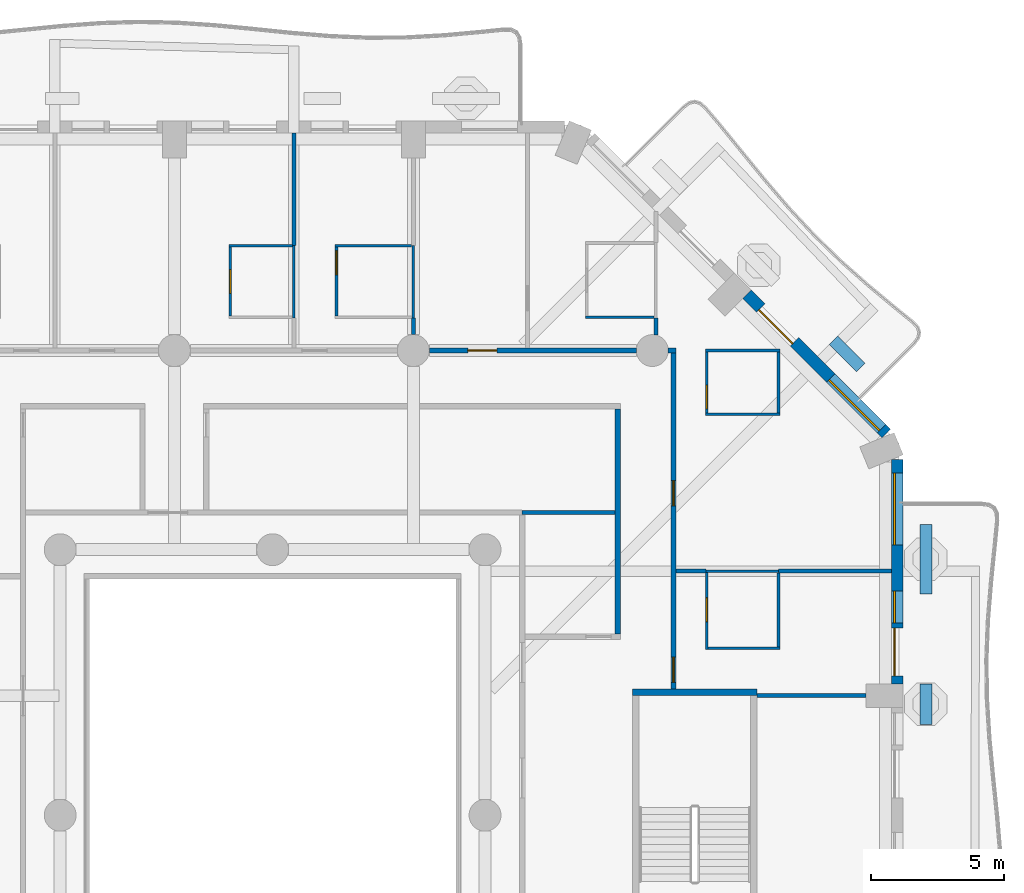
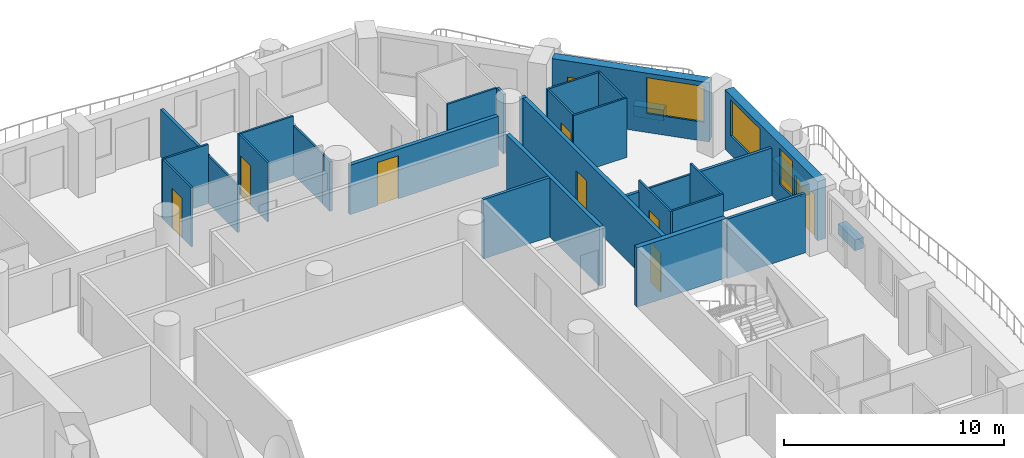
# One storey, part 9 of 20: 32 walls, 9 doors, 3 windows, 12 openings.
"""IFC4 building model written with IfcOpenShell, lengths in metres."""

from ifc_helpers import new_model, si_unit, direction, frame, frame_2d, origin, place, context, subcontext, project, spatial, rectangle, extrude, material, layer, layer_set, type_object, element, fill, save


model = new_model("IFC4")

# Units and contexts
model_context = context("Model", 3, precision=1e-05, world=origin(), true_north=direction((0.0, 1.0)))
body_context = subcontext(model_context, "Body", "Model", "MODEL_VIEW")
ifc_project = project(units=[si_unit("LENGTHUNIT", "METRE"), si_unit("AREAUNIT", "SQUARE_METRE"), si_unit("VOLUMEUNIT", "CUBIC_METRE"), si_unit("PLANEANGLEUNIT", "RADIAN"), si_unit("MASSUNIT", "GRAM", prefix="KILO")], contexts=[model_context])

# Site, building, storey
site_placement = place(None, origin())
site = spatial("IfcSite", under=ifc_project, at=site_placement, CompositionType="ELEMENT")
building_placement = place(site_placement, origin())
building = spatial("IfcBuilding", under=site, at=building_placement, Name="Cypress Arch Tower", CompositionType="ELEMENT")
storey_placement = place(building_placement, frame((0.0, 0.0, 59.10009765625)))
storey = spatial("IfcBuildingStorey", under=building, at=storey_placement, Name="L08", CompositionType="ELEMENT", Elevation=59.10009765625)

# Walls
ifc_material_1 = material(Name="Concrete C40/50, waterproofed", Category="concrete")
ifc_layer_1 = layer(ifc_material_1, 0.449951171875)
ifc_layer_set_1 = layer_set([ifc_layer_1], Name="Balcony planter wall PW450")
wall_type_1 = type_object("IfcWallType", Name="Balcony planter wall PW450", PredefinedType="SOLIDWALL", material=ifc_layer_set_1)
wall_1_placement = place(storey_placement, frame((25.60009765625, 3.42138671875, 0.0), z_axis=(0.0, 0.0, 1.0), x_axis=(0.0, 1.0, 0.0)))
element("IfcWall", 1, at=wall_1_placement, inside=storey, type_object=wall_type_1, Name="Balcony planter wall L08-A06.2", PredefinedType="SOLIDWALL", context=body_context, shape_type="SweptSolid", body=[
    extrude(rectangle(XDim=1.5224609375, YDim=0.449951171875, at=frame_2d((0.76123046875, 0.0))), origin(), (0.0, 0.0, 1.0), 0.599853515625),
])
wall_2_placement = place(storey_placement, frame((25.60009765625, 8.335693359375, 0.0), z_axis=(0.0, 0.0, 1.0), x_axis=(0.0, 1.0, 0.0)))
element("IfcWall", 2, at=wall_2_placement, inside=storey, type_object=wall_type_1, Name="Balcony planter wall L08-A06.3", PredefinedType="SOLIDWALL", context=body_context, shape_type="SweptSolid", body=[
    extrude(rectangle(XDim=2.6142578125, YDim=0.449951171875, at=frame_2d((1.30712890625, 0.0))), origin(), (0.0, 0.0, 1.0), 0.599853515625),
])
wall_3_placement = place(storey_placement, frame((23.150390625, 16.86376953125, 0.0), z_axis=(0.0, 0.0, 1.0), x_axis=(-0.707106781187, 0.707106781187, 0.0)))
element("IfcWall", 3, at=wall_3_placement, inside=storey, type_object=wall_type_1, Name="Balcony planter wall L08-A07.1", PredefinedType="SOLIDWALL", context=body_context, shape_type="SweptSolid", body=[
    extrude(rectangle(XDim=1.44482421875, YDim=0.449951171875, at=frame_2d((0.722412109375, 0.0))), origin(), (0.0, 0.0, 1.0), 0.599853515625),
])

# Wall, openings, door, windows
ifc_material_2 = material(Name="Brick (red buff blend)", Category="masonry")
ifc_layer_2 = layer(ifc_material_2, 0.449951171875)
ifc_layer_set_2 = layer_set([ifc_layer_2], Name="Brick pier and spandrel wall BW450")
wall_type_2 = type_object("IfcWallType", Name="Brick pier and spandrel wall BW450", PredefinedType="SOLIDWALL", material=ifc_layer_set_2)
wall_4_placement = place(storey_placement, frame((24.52490234375, 4.949951171875, 0.0), z_axis=(0.0, 0.0, 1.0), x_axis=(0.0, 1.0, 0.0)))
wall_4 = element("IfcWall", 4, at=wall_4_placement, inside=storey, type_object=wall_type_2, Name="Brick wall L08 A06.3", PredefinedType="SOLIDWALL", context=body_context, shape_type="SweptSolid", body=[
    extrude(rectangle(XDim=8.438720703125, YDim=0.449951171875, at=frame_2d((4.21923828125, 0.0))), origin(), (0.0, 0.0, 1.0), 3.2998046875),
])
opening_1_placement = place(wall_4_placement, frame((0.2939453125, 0.0, 0.0)))
opening_1 = element("IfcOpeningElement", 5, at=opening_1_placement, cuts=wall_4, Name="Opening D-L08-A06.3.1", PredefinedType="OPENING", context=body_context, shape_type="SweptSolid", body=[
    extrude(rectangle(XDim=1.800048828125, YDim=2.39990234375, at=frame_2d((0.89990234375, 1.199951171875))), frame((0.0, 0.23486328125, 0.0), z_axis=(0.0, -1.0, 0.0), x_axis=(1.0, 0.0, 0.0)), (0.0, 0.0, 1.0), 0.469970703125),
])
opening_2_placement = place(wall_4_placement, frame((2.2939453125, 0.0, 1.050048828125)))
opening_2 = element("IfcOpeningElement", 6, at=opening_2_placement, cuts=wall_4, Name="Opening W120HD", PredefinedType="OPENING", context=body_context, shape_type="SweptSolid", body=[
    extrude(rectangle(XDim=1.199951171875, YDim=2.0, at=frame_2d((0.60009765625, 1.0))), frame((0.0, 0.23486328125, 0.0), z_axis=(0.0, -1.0, 0.0), x_axis=(1.0, 0.0, 0.0)), (0.0, 0.0, 1.0), 0.469970703125),
])
opening_3_placement = place(wall_4_placement, frame((5.231689453125, 0.0, 1.050048828125)))
opening_3 = element("IfcOpeningElement", 7, at=opening_3_placement, cuts=wall_4, Name="Opening W270HD", PredefinedType="OPENING", context=body_context, shape_type="SweptSolid", body=[
    extrude(rectangle(XDim=2.699951171875, YDim=2.0, at=frame_2d((1.35009765625, 1.0))), frame((0.0, 0.23486328125, 0.0), z_axis=(0.0, -1.0, 0.0), x_axis=(1.0, 0.0, 0.0)), (0.0, 0.0, 1.0), 0.469970703125),
])
ifc_material_3 = material(Name="Anodised aluminium, bronze finish, laminated low-emissivity double glazing, large-missile impact rated", Category="aluminium")
door_type_1 = type_object("IfcDoorType", Name="Balcony sliding door 1800x2400", OperationType="SLIDING_TO_LEFT", PredefinedType="DOOR", material=ifc_material_3)
door_1_placement = place(opening_1_placement, origin())
door_1 = element("IfcDoor", 8, at=door_1_placement, inside=storey, type_object=door_type_1, Name="Balcony door L08 A06.3.1", OperationType="SLIDING_TO_LEFT", OverallHeight=2.39990234375, OverallWidth=1.800048828125, PredefinedType="DOOR", context=body_context, shape_type="SweptSolid", body=[
    extrude(rectangle(XDim=1.800048828125, YDim=2.39990234375, at=frame_2d((0.89990234375, 1.199951171875))), frame((0.0, 0.1298828125, 0.0), z_axis=(0.0, -1.0, 0.0), x_axis=(1.0, 0.0, 0.0)), (0.0, 0.0, 1.0), 0.050048828125),
])
fill(opening_1, door_1)
ifc_material_4 = material(Name="Anodised aluminium, bronze finish, laminated low-emissivity double glazing, large-missile impact rated", Category="aluminium")
window_type_1 = type_object("IfcWindowType", Name="Window Hotel 1200x2000 debris-rated", PartitioningType="SINGLE_PANEL", PredefinedType="WINDOW", material=ifc_material_4)
window_1_placement = place(opening_2_placement, origin())
window_1 = element("IfcWindow", 9, at=window_1_placement, inside=storey, type_object=window_type_1, Name="Window L08 A06.3.1", OverallHeight=2.0, OverallWidth=1.199951171875, PartitioningType="SINGLE_PANEL", PredefinedType="WINDOW", context=body_context, shape_type="SweptSolid", body=[
    extrude(rectangle(XDim=1.199951171875, YDim=2.0, at=frame_2d((0.60009765625, 1.0))), frame((0.0, 0.135009765625, 0.0), z_axis=(0.0, -1.0, 0.0), x_axis=(1.0, 0.0, 0.0)), (0.0, 0.0, 1.0), 0.06005859375),
])
fill(opening_2, window_1)
ifc_material_5 = material(Name="Anodised aluminium, bronze finish, laminated low-emissivity double glazing, large-missile impact rated", Category="aluminium")
window_type_2 = type_object("IfcWindowType", Name="Window Hotel 2700x2000 debris-rated", PartitioningType="SINGLE_PANEL", PredefinedType="WINDOW", material=ifc_material_5)
window_2_placement = place(opening_3_placement, origin())
window_2 = element("IfcWindow", 10, at=window_2_placement, inside=storey, type_object=window_type_2, Name="Window L08 A06.3.2", OverallHeight=2.0, OverallWidth=2.699951171875, PartitioningType="SINGLE_PANEL", PredefinedType="WINDOW", context=body_context, shape_type="SweptSolid", body=[
    extrude(rectangle(XDim=2.699951171875, YDim=2.0, at=frame_2d((1.35009765625, 1.0))), frame((0.0, 0.135009765625, 0.0), z_axis=(0.0, -1.0, 0.0), x_axis=(1.0, 0.0, 0.0)), (0.0, 0.0, 1.0), 0.06005859375),
])
fill(opening_3, window_2)

# Wall, openings, door, window
wall_5_placement = place(storey_placement, frame((24.11474609375, 14.379150390625, 0.0), z_axis=(0.0, 0.0, 1.0), x_axis=(-0.707106781187, 0.707106781187, 0.0)))
wall_5 = element("IfcWall", 11, at=wall_5_placement, inside=storey, type_object=wall_type_2, Name="Brick wall L08 A07.0", PredefinedType="SOLIDWALL", context=body_context, shape_type="SweptSolid", body=[
    extrude(rectangle(XDim=7.423828125, YDim=0.449951171875, at=frame_2d((3.7119140625, 0.0))), origin(), (0.0, 0.0, 1.0), 3.2998046875),
])
opening_4_placement = place(wall_5_placement, frame((0.253173828125, 0.0, 1.050048828125)))
opening_4 = element("IfcOpeningElement", 12, at=opening_4_placement, cuts=wall_5, Name="Opening W270HD", PredefinedType="OPENING", context=body_context, shape_type="SweptSolid", body=[
    extrude(rectangle(XDim=2.699951171875, YDim=2.0, at=frame_2d((1.35009765625, 1.0))), frame((0.0, 0.23486328125, 0.0), z_axis=(0.0, -1.0, 0.0), x_axis=(1.0, 0.0, 0.0)), (0.0, 0.0, 1.0), 0.469970703125),
])
opening_5_placement = place(wall_5_placement, frame((4.8837890625, 0.0, 0.0)))
opening_5 = element("IfcOpeningElement", 13, at=opening_5_placement, cuts=wall_5, Name="Opening D-L08-A07.0.2", PredefinedType="OPENING", context=body_context, shape_type="SweptSolid", body=[
    extrude(rectangle(XDim=1.800048828125, YDim=2.39990234375, at=frame_2d((0.89990234375, 1.199951171875))), frame((0.0, 0.23486328125, 0.0), z_axis=(0.0, -1.0, 0.0), x_axis=(1.0, 0.0, 0.0)), (0.0, 0.0, 1.0), 0.469970703125),
])
door_2_placement = place(opening_5_placement, origin())
door_2 = element("IfcDoor", 14, at=door_2_placement, inside=storey, type_object=door_type_1, Name="Balcony door L08 A07.0.2", OperationType="SLIDING_TO_LEFT", OverallHeight=2.39990234375, OverallWidth=1.800048828125, PredefinedType="DOOR", context=body_context, shape_type="SweptSolid", body=[
    extrude(rectangle(XDim=1.800048828125, YDim=2.39990234375, at=frame_2d((0.89990234375, 1.199951171875))), frame((0.0, 0.1298828125, 0.0), z_axis=(0.0, -1.0, 0.0), x_axis=(1.0, 0.0, 0.0)), (0.0, 0.0, 1.0), 0.050048828125),
])
fill(opening_5, door_2)
window_3_placement = place(opening_4_placement, origin())
window_3 = element("IfcWindow", 15, at=window_3_placement, inside=storey, type_object=window_type_2, Name="Window L08 A07.0.1", OverallHeight=2.0, OverallWidth=2.699951171875, PartitioningType="SINGLE_PANEL", PredefinedType="WINDOW", context=body_context, shape_type="SweptSolid", body=[
    extrude(rectangle(XDim=2.699951171875, YDim=2.0, at=frame_2d((1.35009765625, 1.0))), frame((0.0, 0.135009765625, 0.0), z_axis=(0.0, -1.0, 0.0), x_axis=(1.0, 0.0, 0.0)), (0.0, 0.0, 1.0), 0.06005859375),
])
fill(opening_4, window_3)

# Wall, opening, door
ifc_material_6 = material(Name="Concrete blockwork, plastered, rated", Category="masonry")
ifc_layer_3 = layer(ifc_material_6, 0.199951171875)
ifc_layer_set_3 = layer_set([ifc_layer_3], Name="Corridor wall FW200")
wall_type_3 = type_object("IfcWallType", Name="Corridor wall FW200", PredefinedType="PARTITIONING", material=ifc_layer_set_3)
wall_6_placement = place(storey_placement, frame((6.89990234375, 17.5, 0.0), z_axis=(0.0, 0.0, 1.0), x_axis=(1.0, 0.0, 0.0)))
wall_6 = element("IfcWall", 16, at=wall_6_placement, inside=storey, type_object=wall_type_3, Name="Corridor wall", PredefinedType="PARTITIONING", context=body_context, shape_type="SweptSolid", body=[
    extrude(rectangle(XDim=7.800048828125, YDim=0.199951171875, at=frame_2d((3.89990234375, 0.0))), origin(), (0.0, 0.0, 1.0), 2.75),
])
opening_6_placement = place(wall_6_placement, frame((1.449951171875, 0.0, 0.0)))
opening_6 = element("IfcOpeningElement", 17, at=opening_6_placement, cuts=wall_6, Name="Opening D01", PredefinedType="OPENING", context=body_context, shape_type="SweptSolid", body=[
    extrude(rectangle(XDim=1.10009765625, YDim=2.39990234375, at=frame_2d((0.550048828125, 1.199951171875))), frame((0.0, 0.10986328125, 0.0), z_axis=(0.0, -1.0, 0.0), x_axis=(1.0, 0.0, 0.0)), (0.0, 0.0, 1.0), 0.219970703125),
])
ifc_material_7 = material(Name="Timber flush door, fire resisting, self-closing", Category="wood")
door_type_2 = type_object("IfcDoorType", Name="Unit entrance door D01 1100x2400", OperationType="SINGLE_SWING_LEFT", PredefinedType="DOOR", material=ifc_material_7)
door_3_placement = place(opening_6_placement, origin())
door_3 = element("IfcDoor", 18, at=door_3_placement, inside=storey, type_object=door_type_2, Name="Unit entrance door", OperationType="SINGLE_SWING_RIGHT", OverallHeight=2.39990234375, OverallWidth=1.10009765625, PredefinedType="DOOR", context=body_context, shape_type="SweptSolid", body=[
    extrude(rectangle(XDim=1.10009765625, YDim=2.39990234375, at=frame_2d((0.550048828125, 1.199951171875))), frame((0.0, 0.02490234375, 0.0), z_axis=(0.0, -1.0, 0.0), x_axis=(1.0, 0.0, 0.0)), (0.0, 0.0, 1.0), 0.050048828125),
])
fill(opening_6, door_3)

# Walls
wall_7_placement = place(storey_placement, frame((15.89990234375, 17.5, 0.0), z_axis=(0.0, 0.0, 1.0), x_axis=(1.0, 0.0, 0.0)))
element("IfcWall", 19, at=wall_7_placement, inside=storey, type_object=wall_type_3, Name="Corridor wall", PredefinedType="PARTITIONING", context=body_context, shape_type="SweptSolid", body=[
    extrude(rectangle(XDim=0.300048828125, YDim=0.199951171875, at=frame_2d((0.14990234375, 0.0))), origin(), (0.0, 0.0, 1.0), 3.2998046875),
])
wall_8_placement = place(storey_placement, frame((14.0, 6.824951171875, 0.0), z_axis=(0.0, 0.0, 1.0), x_axis=(0.0, 1.0, 0.0)))
element("IfcWall", 20, at=wall_8_placement, inside=storey, type_object=wall_type_3, Name="Corridor wall", PredefinedType="PARTITIONING", context=body_context, shape_type="SweptSolid", body=[
    extrude(rectangle(XDim=8.47509765625, YDim=0.199951171875, at=frame_2d((4.237548828125, 0.0))), origin(), (0.0, 0.0, 1.0), 3.2998046875),
])

# Wall, openings, doors
wall_9_placement = place(storey_placement, frame((16.10009765625, 4.75, 0.0), z_axis=(0.0, 0.0, 1.0), x_axis=(0.0, 1.0, 0.0)))
wall_9 = element("IfcWall", 21, at=wall_9_placement, inside=storey, type_object=wall_type_3, Name="Corridor wall", PredefinedType="PARTITIONING", context=body_context, shape_type="SweptSolid", body=[
    extrude(rectangle(XDim=12.64990234375, YDim=0.199951171875, at=frame_2d((6.324951171875, 0.0))), origin(), (0.0, 0.0, 1.0), 3.2998046875),
])
opening_7_placement = place(wall_9_placement, frame((0.25, 0.0, 0.0)))
opening_7 = element("IfcOpeningElement", 22, at=opening_7_placement, cuts=wall_9, Name="Opening D02", PredefinedType="OPENING", context=body_context, shape_type="SweptSolid", body=[
    extrude(rectangle(XDim=0.949951171875, YDim=2.199951171875, at=frame_2d((0.47509765625, 1.10009765625))), frame((0.0, 0.10986328125, 0.0), z_axis=(0.0, -1.0, 0.0), x_axis=(1.0, 0.0, 0.0)), (0.0, 0.0, 1.0), 0.219970703125),
])
opening_8_placement = place(wall_9_placement, frame((6.89990234375, 0.0, 0.0)))
opening_8 = element("IfcOpeningElement", 23, at=opening_8_placement, cuts=wall_9, Name="Opening D02", PredefinedType="OPENING", context=body_context, shape_type="SweptSolid", body=[
    extrude(rectangle(XDim=0.949951171875, YDim=2.199951171875, at=frame_2d((0.47509765625, 1.10009765625))), frame((0.0, 0.10986328125, 0.0), z_axis=(0.0, -1.0, 0.0), x_axis=(1.0, 0.0, 0.0)), (0.0, 0.0, 1.0), 0.219970703125),
])
ifc_material_8 = material(Name="Timber flush door, fire resisting", Category="wood")
door_type_3 = type_object("IfcDoorType", Name="Room door D02 950x2200", OperationType="SINGLE_SWING_LEFT", PredefinedType="DOOR", material=ifc_material_8)
door_4_placement = place(opening_7_placement, origin())
door_4 = element("IfcDoor", 24, at=door_4_placement, inside=storey, type_object=door_type_3, Name="Room door", OperationType="SINGLE_SWING_RIGHT", OverallHeight=2.199951171875, OverallWidth=0.949951171875, PredefinedType="DOOR", context=body_context, shape_type="SweptSolid", body=[
    extrude(rectangle(XDim=0.949951171875, YDim=2.199951171875, at=frame_2d((0.47509765625, 1.10009765625))), frame((0.0, 0.02490234375, 0.0), z_axis=(0.0, -1.0, 0.0), x_axis=(1.0, 0.0, 0.0)), (0.0, 0.0, 1.0), 0.050048828125),
])
fill(opening_7, door_4)
door_5_placement = place(opening_8_placement, origin())
door_5 = element("IfcDoor", 25, at=door_5_placement, inside=storey, type_object=door_type_3, Name="Room door", OperationType="SINGLE_SWING_RIGHT", OverallHeight=2.199951171875, OverallWidth=0.949951171875, PredefinedType="DOOR", context=body_context, shape_type="SweptSolid", body=[
    extrude(rectangle(XDim=0.949951171875, YDim=2.199951171875, at=frame_2d((0.47509765625, 1.10009765625))), frame((0.0, 0.02490234375, 0.0), z_axis=(0.0, -1.0, 0.0), x_axis=(1.0, 0.0, 0.0)), (0.0, 0.0, 1.0), 0.050048828125),
])
fill(opening_8, door_5)

# Walls
ifc_material_9 = material(Name="Blockwork, plastered both sides", Category="masonry")
ifc_layer_4 = layer(ifc_material_9, 0.14990234375)
ifc_layer_set_4 = layer_set([ifc_layer_4], Name="Partition PW150")
wall_type_4 = type_object("IfcWallType", Name="Partition PW150", PredefinedType="PARTITIONING", material=ifc_layer_set_4)
wall_10_placement = place(storey_placement, frame((1.800048828125, 21.449951171875, 0.0), z_axis=(0.0, 0.0, 1.0), x_axis=(0.0, 1.0, 0.0)))
element("IfcWall", 26, at=wall_10_placement, inside=storey, type_object=wall_type_4, Name="Partition", PredefinedType="PARTITIONING", context=body_context, shape_type="SweptSolid", body=[
    extrude(rectangle(XDim=4.25, YDim=0.14990234375, at=frame_2d((2.125, 0.0))), origin(), (0.0, 0.0, 1.0), 2.64990234375),
])
wall_11_placement = place(storey_placement, frame((6.300048828125, 18.10009765625, 0.0), z_axis=(0.0, 0.0, 1.0), x_axis=(0.0, 1.0, 0.0)))
element("IfcWall", 27, at=wall_11_placement, inside=storey, type_object=wall_type_4, Name="Partition", PredefinedType="PARTITIONING", context=body_context, shape_type="SweptSolid", body=[
    extrude(rectangle(XDim=0.6298828125, YDim=0.14990234375, at=frame_2d((0.31494140625, 0.0))), origin(), (0.0, 0.0, 1.0), 2.75),
])
wall_12_placement = place(storey_placement, frame((10.39990234375, 11.39990234375, 0.0), z_axis=(0.0, 0.0, 1.0), x_axis=(1.0, 0.0, 0.0)))
element("IfcWall", 28, at=wall_12_placement, inside=storey, type_object=wall_type_4, Name="Partition", PredefinedType="PARTITIONING", context=body_context, shape_type="SweptSolid", body=[
    extrude(rectangle(XDim=3.5, YDim=0.14990234375, at=frame_2d((1.75, 0.0))), origin(), (0.0, 0.0, 1.0), 3.2998046875),
])
wall_13_placement = place(storey_placement, frame((15.431884765625, 18.093994140625, 0.0), z_axis=(0.0, 0.0, 1.0), x_axis=(0.0, 1.0, 0.0)))
element("IfcWall", 29, at=wall_13_placement, inside=storey, type_object=wall_type_4, Name="Partition", PredefinedType="PARTITIONING", context=body_context, shape_type="SweptSolid", body=[
    extrude(rectangle(XDim=0.635986328125, YDim=0.14990234375, at=frame_2d((0.31787109375, 0.0))), origin(), (0.0, 0.0, 1.0), 3.2998046875),
])
wall_14_placement = place(storey_placement, frame((16.199951171875, 9.18994140625, 0.0), z_axis=(0.0, 0.0, 1.0), x_axis=(1.0, 0.0, 0.0)))
element("IfcWall", 30, at=wall_14_placement, inside=storey, type_object=wall_type_4, Name="Partition", PredefinedType="PARTITIONING", context=body_context, shape_type="SweptSolid", body=[
    extrude(rectangle(XDim=1.130126953125, YDim=0.14990234375, at=frame_2d((0.56494140625, 0.0))), origin(), (0.0, 0.0, 1.0), 2.64990234375),
])
wall_15_placement = place(storey_placement, frame((19.25, 4.5, 0.0), z_axis=(0.0, 0.0, 1.0), x_axis=(1.0, 0.0, 0.0)))
element("IfcWall", 31, at=wall_15_placement, inside=storey, type_object=wall_type_4, Name="Partition", PredefinedType="PARTITIONING", context=body_context, shape_type="SweptSolid", body=[
    extrude(rectangle(XDim=4.10009765625, YDim=0.14990234375, at=frame_2d((2.050048828125, 0.0))), origin(), (0.0, 0.0, 1.0), 3.2998046875),
])
wall_16_placement = place(storey_placement, frame((20.050048828125, 9.18994140625, 0.0), z_axis=(0.0, 0.0, 1.0), x_axis=(1.0, 0.0, 0.0)))
element("IfcWall", 32, at=wall_16_placement, inside=storey, type_object=wall_type_4, Name="Partition", PredefinedType="PARTITIONING", context=body_context, shape_type="SweptSolid", body=[
    extrude(rectangle(XDim=4.25, YDim=0.14990234375, at=frame_2d((2.125, 0.0))), origin(), (0.0, 0.0, 1.0), 2.64990234375),
])
ifc_material_10 = material(Name="Concrete C50/60", Category="concrete")
ifc_layer_5 = layer(ifc_material_10, 0.25)
ifc_layer_set_5 = layer_set([ifc_layer_5], Name="Stair enclosure wall SW250")
wall_type_5 = type_object("IfcWallType", Name="Stair enclosure wall SW250", PredefinedType="SHEAR", material=ifc_layer_set_5)
wall_17_placement = place(storey_placement, frame((14.550048828125, 4.625, 0.0), z_axis=(0.0, 0.0, 1.0), x_axis=(1.0, 0.0, 0.0)))
element("IfcWall", 33, at=wall_17_placement, inside=storey, type_object=wall_type_5, Name="Stair enclosure wall", PredefinedType="SHEAR", context=body_context, shape_type="SweptSolid", body=[
    extrude(rectangle(XDim=4.699951171875, YDim=0.25, at=frame_2d((2.35009765625, 0.0))), origin(), (0.0, 0.0, 1.0), 3.2998046875),
])

# Wall, opening, door
ifc_material_11 = material(Name="Moisture resistant board on steel studs, tiled", Category="steel")
ifc_layer_6 = layer(ifc_material_11, 0.10009765625)
ifc_layer_set_6 = layer_set([ifc_layer_6], Name="Wet wall PW100")
wall_type_6 = type_object("IfcWallType", Name="Wet wall PW100", PredefinedType="PARTITIONING", material=ifc_layer_set_6)
wall_18_placement = place(storey_placement, frame((-0.595947265625, 18.800048828125, 0.0), z_axis=(0.0, 0.0, 1.0), x_axis=(0.0, 1.0, 0.0)))
wall_18 = element("IfcWall", 34, at=wall_18_placement, inside=storey, type_object=wall_type_6, Name="Wet wall", PredefinedType="PARTITIONING", context=body_context, shape_type="SweptSolid", body=[
    extrude(rectangle(XDim=2.599853515625, YDim=0.10009765625, at=frame_2d((1.2998046875, 0.0))), origin(), (0.0, 0.0, 1.0), 3.2998046875),
])
opening_9_placement = place(wall_18_placement, frame((0.85009765625, 0.0, 0.0)))
opening_9 = element("IfcOpeningElement", 35, at=opening_9_placement, cuts=wall_18, Name="Opening D03", PredefinedType="OPENING", context=body_context, shape_type="SweptSolid", body=[
    extrude(rectangle(XDim=0.89990234375, YDim=2.199951171875, at=frame_2d((0.449951171875, 1.10009765625))), frame((0.0, 0.06005859375, 0.0), z_axis=(0.0, -1.0, 0.0), x_axis=(1.0, 0.0, 0.0)), (0.0, 0.0, 1.0), 0.1201171875),
])
ifc_material_12 = material(Name="Timber flush door, moisture resistant", Category="wood")
door_type_4 = type_object("IfcDoorType", Name="Bathroom door D03 900x2200", OperationType="SINGLE_SWING_LEFT", PredefinedType="DOOR", material=ifc_material_12)
door_6_placement = place(opening_9_placement, origin())
door_6 = element("IfcDoor", 36, at=door_6_placement, inside=storey, type_object=door_type_4, Name="Bathroom door", OperationType="SINGLE_SWING_RIGHT", OverallHeight=2.199951171875, OverallWidth=0.89990234375, PredefinedType="DOOR", context=body_context, shape_type="SweptSolid", body=[
    extrude(rectangle(XDim=0.89990234375, YDim=2.199951171875, at=frame_2d((0.449951171875, 1.10009765625))), frame((0.0, 0.02490234375, 0.0), z_axis=(0.0, -1.0, 0.0), x_axis=(1.0, 0.0, 0.0)), (0.0, 0.0, 1.0), 0.050048828125),
])
fill(opening_9, door_6)

# Walls
wall_19_placement = place(storey_placement, frame((-0.64599609375, 21.449951171875, 0.0), z_axis=(0.0, 0.0, 1.0), x_axis=(1.0, 0.0, 0.0)))
element("IfcWall", 37, at=wall_19_placement, inside=storey, type_object=wall_type_6, Name="Wet wall", PredefinedType="PARTITIONING", context=body_context, shape_type="SweptSolid", body=[
    extrude(rectangle(XDim=2.39599609375, YDim=0.10009765625, at=frame_2d((1.197998046875, 0.0))), origin(), (0.0, 0.0, 1.0), 3.2998046875),
])
wall_20_placement = place(storey_placement, frame((1.800048828125, 18.72998046875, 0.0), z_axis=(0.0, 0.0, 1.0), x_axis=(0.0, 1.0, 0.0)))
element("IfcWall", 38, at=wall_20_placement, inside=storey, type_object=wall_type_6, Name="Wet wall", PredefinedType="PARTITIONING", context=body_context, shape_type="SweptSolid", body=[
    extrude(rectangle(XDim=2.719970703125, YDim=0.10009765625, at=frame_2d((1.35986328125, 0.0))), origin(), (0.0, 0.0, 1.0), 2.64990234375),
])

# Wall, opening, door
wall_21_placement = place(storey_placement, frame((3.404052734375, 18.800048828125, 0.0), z_axis=(0.0, 0.0, 1.0), x_axis=(0.0, 1.0, 0.0)))
wall_21 = element("IfcWall", 39, at=wall_21_placement, inside=storey, type_object=wall_type_6, Name="Wet wall", PredefinedType="PARTITIONING", context=body_context, shape_type="SweptSolid", body=[
    extrude(rectangle(XDim=2.599853515625, YDim=0.10009765625, at=frame_2d((1.2998046875, 0.0))), origin(), (0.0, 0.0, 1.0), 3.2998046875),
])
opening_10_placement = place(wall_21_placement, frame((1.550048828125, 0.0, 0.0)))
opening_10 = element("IfcOpeningElement", 40, at=opening_10_placement, cuts=wall_21, Name="Opening D03", PredefinedType="OPENING", context=body_context, shape_type="SweptSolid", body=[
    extrude(rectangle(XDim=0.89990234375, YDim=2.199951171875, at=frame_2d((0.449951171875, 1.10009765625))), frame((0.0, 0.06005859375, 0.0), z_axis=(0.0, -1.0, 0.0), x_axis=(1.0, 0.0, 0.0)), (0.0, 0.0, 1.0), 0.1201171875),
])
door_7_placement = place(opening_10_placement, origin())
door_7 = element("IfcDoor", 41, at=door_7_placement, inside=storey, type_object=door_type_4, Name="Bathroom door", OperationType="SINGLE_SWING_LEFT", OverallHeight=2.199951171875, OverallWidth=0.89990234375, PredefinedType="DOOR", context=body_context, shape_type="SweptSolid", body=[
    extrude(rectangle(XDim=0.89990234375, YDim=2.199951171875, at=frame_2d((0.449951171875, 1.10009765625))), frame((0.0, 0.02490234375, 0.0), z_axis=(0.0, -1.0, 0.0), x_axis=(1.0, 0.0, 0.0)), (0.0, 0.0, 1.0), 0.050048828125),
])
fill(opening_10, door_7)

# Walls
wall_22_placement = place(storey_placement, frame((3.35400390625, 21.449951171875, 0.0), z_axis=(0.0, 0.0, 1.0), x_axis=(1.0, 0.0, 0.0)))
element("IfcWall", 42, at=wall_22_placement, inside=storey, type_object=wall_type_6, Name="Wet wall", PredefinedType="PARTITIONING", context=body_context, shape_type="SweptSolid", body=[
    extrude(rectangle(XDim=2.87109375, YDim=0.10009765625, at=frame_2d((1.435546875, 0.0))), origin(), (0.0, 0.0, 1.0), 3.2998046875),
])
wall_23_placement = place(storey_placement, frame((6.300048828125, 18.72998046875, 0.0), z_axis=(0.0, 0.0, 1.0), x_axis=(0.0, 1.0, 0.0)))
element("IfcWall", 43, at=wall_23_placement, inside=storey, type_object=wall_type_6, Name="Wet wall", PredefinedType="PARTITIONING", context=body_context, shape_type="SweptSolid", body=[
    extrude(rectangle(XDim=2.719970703125, YDim=0.10009765625, at=frame_2d((1.35986328125, 0.0))), origin(), (0.0, 0.0, 1.0), 2.75),
])
wall_24_placement = place(storey_placement, frame((12.785888671875, 18.75, 0.0), z_axis=(0.0, 0.0, 1.0), x_axis=(1.0, 0.0, 0.0)))
element("IfcWall", 44, at=wall_24_placement, inside=storey, type_object=wall_type_6, Name="Wet wall", PredefinedType="PARTITIONING", context=body_context, shape_type="SweptSolid", body=[
    extrude(rectangle(XDim=2.571044921875, YDim=0.10009765625, at=frame_2d((1.28564453125, 0.0))), origin(), (0.0, 0.0, 1.0), 3.2998046875),
])
wall_25_placement = place(storey_placement, frame((17.330078125, 9.18994140625, 0.0), z_axis=(0.0, 0.0, 1.0), x_axis=(1.0, 0.0, 0.0)))
element("IfcWall", 45, at=wall_25_placement, inside=storey, type_object=wall_type_6, Name="Wet wall", PredefinedType="PARTITIONING", context=body_context, shape_type="SweptSolid", body=[
    extrude(rectangle(XDim=2.719970703125, YDim=0.10009765625, at=frame_2d((1.35986328125, 0.0))), origin(), (0.0, 0.0, 1.0), 2.64990234375),
])

# Wall, opening, door
wall_26_placement = place(storey_placement, frame((17.35009765625, 9.139892578125, 0.0), z_axis=(0.0, 0.0, 1.0), x_axis=(0.000337211244, -0.999999943144, 0.0)))
wall_26 = element("IfcWall", 46, at=wall_26_placement, inside=storey, type_object=wall_type_6, Name="Wet wall", PredefinedType="PARTITIONING", context=body_context, shape_type="SweptSolid", body=[
    extrude(rectangle(XDim=2.89599609375, YDim=0.10009765625, at=frame_2d((1.447998046875, 0.0))), origin(), (0.0, 0.0, 1.0), 3.2998046875),
])
opening_11_placement = place(wall_26_placement, frame((0.949951171875, 0.0, 0.0)))
opening_11 = element("IfcOpeningElement", 47, at=opening_11_placement, cuts=wall_26, Name="Opening D03", PredefinedType="OPENING", context=body_context, shape_type="SweptSolid", body=[
    extrude(rectangle(XDim=0.89990234375, YDim=2.199951171875, at=frame_2d((0.449951171875, 1.10009765625))), frame((0.0, 0.06005859375, 0.0), z_axis=(0.0, -1.0, 0.0), x_axis=(1.0, 0.0, 0.0)), (0.0, 0.0, 1.0), 0.1201171875),
])
door_8_placement = place(opening_11_placement, origin())
door_8 = element("IfcDoor", 48, at=door_8_placement, inside=storey, type_object=door_type_4, Name="Bathroom door", OperationType="SINGLE_SWING_RIGHT", OverallHeight=2.199951171875, OverallWidth=0.89990234375, PredefinedType="DOOR", context=body_context, shape_type="SweptSolid", body=[
    extrude(rectangle(XDim=0.89990234375, YDim=2.199951171875, at=frame_2d((0.449951171875, 1.10009765625))), frame((0.0, 0.02490234375, 0.0), z_axis=(0.0, -1.0, 0.0), x_axis=(1.0, 0.0, 0.0)), (0.0, 0.0, 1.0), 0.050048828125),
])
fill(opening_11, door_8)

wall_27_placement = place(storey_placement, frame((17.35009765625, 15.14990234375, 0.0), z_axis=(0.0, 0.0, 1.0), x_axis=(0.0, 1.0, 0.0)))
wall_27 = element("IfcWall", 49, at=wall_27_placement, inside=storey, type_object=wall_type_6, Name="Wet wall", PredefinedType="PARTITIONING", context=body_context, shape_type="SweptSolid", body=[
    extrude(rectangle(XDim=2.300048828125, YDim=0.10009765625, at=frame_2d((1.14990234375, 0.0))), origin(), (0.0, 0.0, 1.0), 3.2998046875),
])
opening_12_placement = place(wall_27_placement, frame((0.14990234375, 0.0, 0.0)))
opening_12 = element("IfcOpeningElement", 50, at=opening_12_placement, cuts=wall_27, Name="Opening D03", PredefinedType="OPENING", context=body_context, shape_type="SweptSolid", body=[
    extrude(rectangle(XDim=0.89990234375, YDim=2.199951171875, at=frame_2d((0.449951171875, 1.10009765625))), frame((0.0, 0.06005859375, 0.0), z_axis=(0.0, -1.0, 0.0), x_axis=(1.0, 0.0, 0.0)), (0.0, 0.0, 1.0), 0.1201171875),
])
door_9_placement = place(opening_12_placement, origin())
door_9 = element("IfcDoor", 51, at=door_9_placement, inside=storey, type_object=door_type_4, Name="Bathroom door", OperationType="SINGLE_SWING_RIGHT", OverallHeight=2.199951171875, OverallWidth=0.89990234375, PredefinedType="DOOR", context=body_context, shape_type="SweptSolid", body=[
    extrude(rectangle(XDim=0.89990234375, YDim=2.199951171875, at=frame_2d((0.449951171875, 1.10009765625))), frame((0.0, 0.02490234375, 0.0), z_axis=(0.0, -1.0, 0.0), x_axis=(1.0, 0.0, 0.0)), (0.0, 0.0, 1.0), 0.050048828125),
])
fill(opening_12, door_9)

# Walls
for number, where, z_axis, x_axis, name in (
    (52, (17.300048828125, 15.10009765625, 0.0), (0.0, 0.0, 1.0), (1.0, 0.0, 0.0), "Wet wall"),
    (53, (17.300048828125, 17.5, 0.0), (0.0, 0.0, 1.0), (1.0, 0.0, 0.0), "Wet wall"),
):
    element("IfcWall", number, at=place(storey_placement, frame(where, z_axis=z_axis, x_axis=x_axis)), inside=storey, type_object=wall_type_6, Name=name, PredefinedType="PARTITIONING", context=body_context, shape_type="SweptSolid", body=[
        extrude(rectangle(XDim=2.800048828125, YDim=0.10009765625, at=frame_2d((1.39990234375, 0.0))), origin(), (0.0, 0.0, 1.0), 3.2998046875),
    ])
wall_28_placement = place(storey_placement, frame((17.40087890625, 6.2939453125, 0.0), z_axis=(0.0, 0.0, 1.0), x_axis=(0.9999999346, 0.000361663629, 0.0)))
element("IfcWall", 54, at=wall_28_placement, inside=storey, type_object=wall_type_6, Name="Wet wall", PredefinedType="PARTITIONING", context=body_context, shape_type="SweptSolid", body=[
    extrude(rectangle(XDim=2.7001953125, YDim=0.10009765625, at=frame_2d((1.35009765625, 0.0))), origin(), (0.0, 0.0, 1.0), 3.2998046875),
])
wall_29_placement = place(storey_placement, frame((20.050048828125, 9.114990234375, 0.0), z_axis=(0.0, 0.0, 1.0), x_axis=(0.000352547131, -0.999999937855, 0.0)))
element("IfcWall", 55, at=wall_29_placement, inside=storey, type_object=wall_type_6, Name="Wet wall", PredefinedType="PARTITIONING", context=body_context, shape_type="SweptSolid", body=[
    extrude(rectangle(XDim=2.77001953125, YDim=0.10009765625, at=frame_2d((1.385009765625, 0.0))), origin(), (0.0, 0.0, 1.0), 3.2998046875),
])
wall_30_placement = place(storey_placement, frame((20.050048828125, 15.14990234375, 0.0), z_axis=(0.0, 0.0, 1.0), x_axis=(0.0, 1.0, 0.0)))
element("IfcWall", 56, at=wall_30_placement, inside=storey, type_object=wall_type_6, Name="Wet wall", PredefinedType="PARTITIONING", context=body_context, shape_type="SweptSolid", body=[
    extrude(rectangle(XDim=2.300048828125, YDim=0.10009765625, at=frame_2d((1.14990234375, 0.0))), origin(), (0.0, 0.0, 1.0), 3.2998046875),
])

save(model, "model.ifc")
